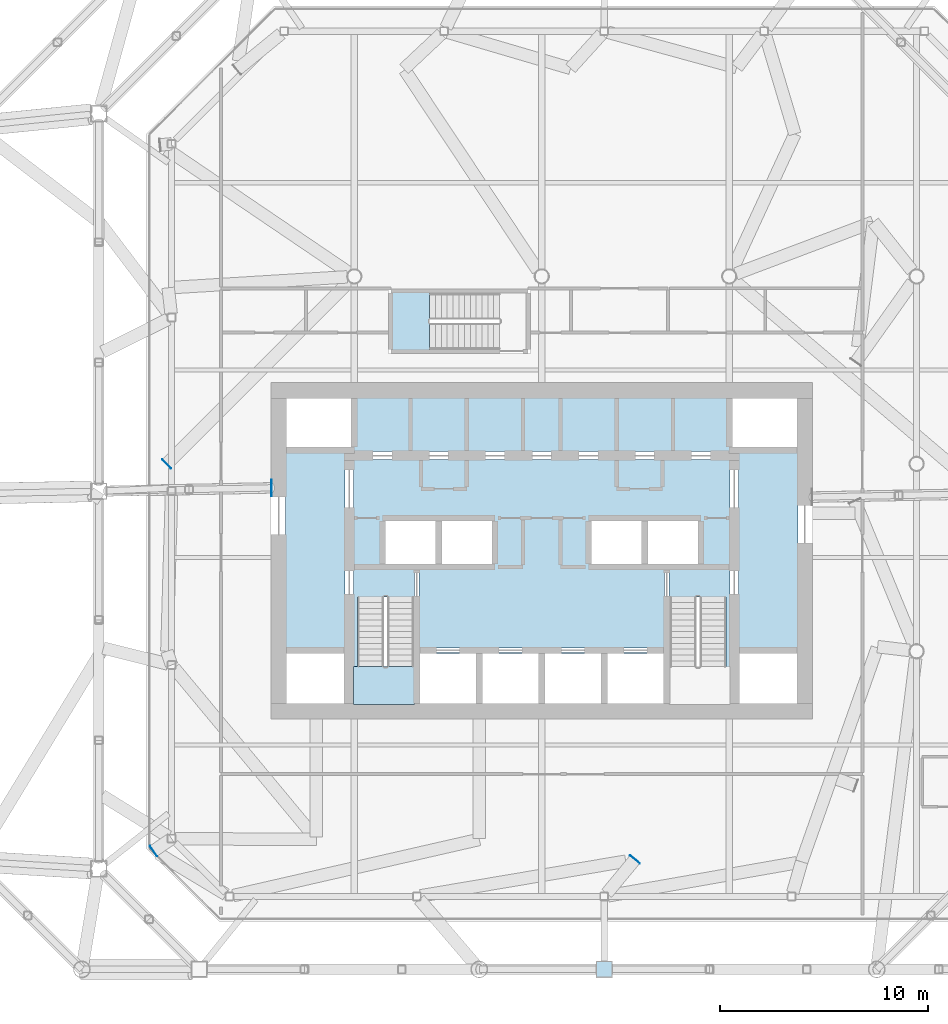
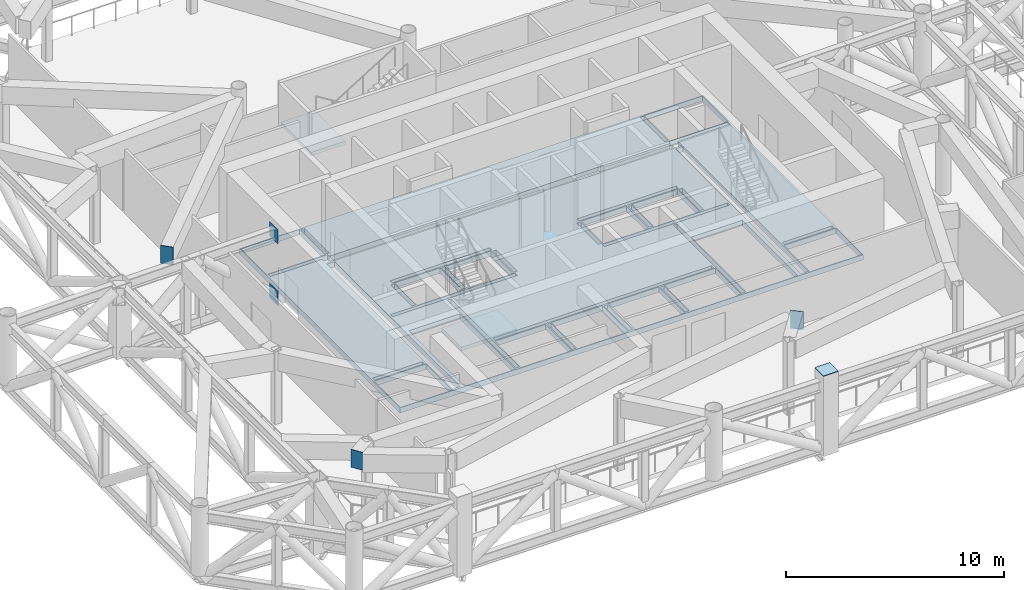
# One storey, part 9 of 21: 6 plates, 3 slabs, 2 elements without a shape of their own.
"""IFC4 building model written with IfcOpenShell, lengths in metres."""

import ifcopenshell
import ifcopenshell.guid

model = None  # the IFC model being written
_history = None  # IfcOwnerHistory: only IFC2X3 demands one
_inside = {}  # id of a spatial element -> (the spatial element, [elements in it])
_under = {}  # id of a project, library or spatial element -> (it, [spatial elements below it])
_declared = {}  # id of a project -> (the project, [libraries it declares])
_typed = {}  # id of a type object -> (the type object, [elements of that type])
_made_of = {}  # id of a material, layer set ... -> (it, [elements and type objects made of it])


def new_model(schema):
    """Start an empty IFC model of exactly this schema.

    Asked for "IFC4X3", IfcOpenShell would pick the latest addendum, in which some entities
    have other attributes; the version numbers below select the first issue.
    IFC2X3 requires an IfcOwnerHistory on every rooted entity: one is made here for all.
    """
    global model, _history
    if schema == "IFC4X3":
        model = ifcopenshell.file(schema_version=(4, 3, 0, 0))
    else:
        model = ifcopenshell.file(schema=schema)
    _inside.clear()
    _under.clear()
    _declared.clear()
    _typed.clear()
    _made_of.clear()
    _history = None
    if model.schema == "IFC2X3":
        org = make("IfcOrganization", Name="unknown")
        user = make(
            "IfcPersonAndOrganization",
            ThePerson=make("IfcPerson", FamilyName="unknown"),
            TheOrganization=org,
        )
        app = make(
            "IfcApplication",
            ApplicationDeveloper=org,
            Version="unknown",
            ApplicationFullName="unknown",
            ApplicationIdentifier="unknown",
        )
        _history = make(
            "IfcOwnerHistory",
            OwningUser=user,
            OwningApplication=app,
            ChangeAction="ADDED",
            CreationDate=0,
        )
    return model


def make(cls, **values):
    """One entity of the class cls with the attributes given. An attribute that is None is left unset."""
    return model.create_entity(
        cls, **{name: value for name, value in values.items() if value is not None}
    )


def rooted(cls, **values):
    """An entity with a GlobalId (a new one), such as an element, a storey or a relation."""
    return make(cls, GlobalId=ifcopenshell.guid.new(), OwnerHistory=_history, **values)


def si_unit(unit_type, name, prefix=None):
    """IfcSIUnit, for example si_unit("LENGTHUNIT", "METRE", prefix="MILLI")."""
    return make("IfcSIUnit", UnitType=unit_type, Prefix=prefix, Name=name)


def assignment(units):
    """IfcUnitAssignment: the units of a project."""
    return None if units is None else make("IfcUnitAssignment", Units=units)


def point(xyz):
    """IfcCartesianPoint."""
    return None if xyz is None else make("IfcCartesianPoint", Coordinates=xyz)


def direction(xyz):
    """IfcDirection."""
    return None if xyz is None else make("IfcDirection", DirectionRatios=xyz)


def frame(location, z_axis=None, x_axis=None):
    """IfcAxis2Placement3D, a coordinate frame: its origin and axes. An axis left out is left unset."""
    return make(
        "IfcAxis2Placement3D",
        Location=point(location),
        Axis=direction(z_axis),
        RefDirection=direction(x_axis),
    )


def frame_2d(location, x_axis=None):
    """IfcAxis2Placement2D, a coordinate frame in the plane: its origin and x axis."""
    return make(
        "IfcAxis2Placement2D", Location=point(location), RefDirection=direction(x_axis)
    )


def origin():
    """The frame at (0, 0, 0) with its axes left unset."""
    return frame((0.0, 0.0, 0.0))


def origin_2d():
    """The frame at (0, 0) in the plane with its x axis left unset."""
    return frame_2d((0.0, 0.0))


def place(relative_to, where):
    """IfcLocalPlacement: puts the frame where relative to a parent placement (None: the world)."""
    return make(
        "IfcLocalPlacement", PlacementRelTo=relative_to, RelativePlacement=where
    )


def context(
    kind, dimensions, precision=None, world=None, true_north=None, identifier=None
):
    """IfcGeometricRepresentationContext, for example the 3D "Model" context."""
    return make(
        "IfcGeometricRepresentationContext",
        ContextIdentifier=identifier,
        ContextType=kind,
        CoordinateSpaceDimension=dimensions,
        Precision=precision,
        WorldCoordinateSystem=world,
        TrueNorth=true_north,
    )


def subcontext(parent, identifier, kind, view, scale=None):
    """IfcGeometricRepresentationSubContext, for example "Body" below "Model"."""
    return make(
        "IfcGeometricRepresentationSubContext",
        ContextIdentifier=identifier,
        ContextType=kind,
        ParentContext=parent,
        TargetScale=scale,
        TargetView=view,
    )


def project(units=None, contexts=None):
    """IfcProject with its units and contexts."""
    return rooted(
        "IfcProject",
        Name="project",
        RepresentationContexts=contexts,
        UnitsInContext=assignment(units),
    )


def spatial(cls, under=None, at=None, **own):
    """A site, building, storey or space (cls), placed at a placement, below another one or the project."""
    s = rooted(cls, ObjectPlacement=at, **own)
    if under is not None:
        _under.setdefault(under.id(), (under, []))[1].append(s)
    return s


def polyline(points):
    """IfcPolyline through the points."""
    return make("IfcPolyline", Points=[point(p) for p in points])


def profile(cls, at=None, kind="AREA", **sizes):
    """A parametric profile (cls). Its sizes go by their IFC names, for example OverallWidth=200.0."""
    return make(cls, ProfileType=kind, Position=at, **sizes)


def rectangle(**sizes):
    """IfcRectangleProfileDef."""
    return profile("IfcRectangleProfileDef", **sizes)


def outline(outer, holes=None, kind="AREA"):
    """IfcArbitraryClosedProfileDef: a profile drawn as a closed curve; with holes, ...WithVoids."""
    if holes is None:
        return make("IfcArbitraryClosedProfileDef", ProfileType=kind, OuterCurve=outer)
    return make(
        "IfcArbitraryProfileDefWithVoids",
        ProfileType=kind,
        OuterCurve=outer,
        InnerCurves=holes,
    )


def extrude(swept, where, along, depth):
    """IfcExtrudedAreaSolid: the profile swept, set in the frame where, extruded along a direction by depth."""
    return make(
        "IfcExtrudedAreaSolid",
        SweptArea=swept,
        Position=where,
        ExtrudedDirection=direction(along),
        Depth=depth,
    )


def shape(context_of_items, identifier, shape_type, items):
    """IfcShapeRepresentation: the items that make up one representation, for example the "Body"."""
    return make(
        "IfcShapeRepresentation",
        ContextOfItems=context_of_items,
        RepresentationIdentifier=identifier,
        RepresentationType=shape_type,
        Items=items,
    )


def material(Name=None, Category=None):
    """IfcMaterial."""
    return make("IfcMaterial", Name=Name, Category=Category)


def layer(
    of_material, thickness, ventilated=None, Name=None, Category=None, Priority=None
):
    """IfcMaterialLayer: one layer of a wall or slab, of a material (None: an air gap)."""
    return make(
        "IfcMaterialLayer",
        Material=of_material,
        LayerThickness=thickness,
        IsVentilated=ventilated,
        Name=Name,
        Category=Category,
        Priority=Priority,
    )


def layer_set(layers, Name=None):
    """IfcMaterialLayerSet."""
    return make("IfcMaterialLayerSet", MaterialLayers=layers, LayerSetName=Name)


def material_profile(
    of_material, cross_section, Name=None, Category=None, Priority=None
):
    """IfcMaterialProfile: a cross section and its material."""
    return make(
        "IfcMaterialProfile",
        Name=Name,
        Material=of_material,
        Profile=cross_section,
        Priority=Priority,
        Category=Category,
    )


def profile_set(profiles, Name=None, composite=None):
    """IfcMaterialProfileSet."""
    return make(
        "IfcMaterialProfileSet",
        Name=Name,
        MaterialProfiles=profiles,
        CompositeProfile=composite,
    )


def made_of(thing, what):
    """Note that an element or type object is made of a material, layer set ...; save() writes the relation."""
    if what is not None:
        _made_of.setdefault(what.id(), (what, []))[1].append(thing)
    return thing


def type_object(cls, material=None, **own):
    """A type object (cls), such as IfcWallType, which elements share."""
    return made_of(rooted(cls, **own), material)


def element(
    cls,
    number,
    at=None,
    inside=None,
    cuts=None,
    type_object=None,
    material=None,
    context=None,
    identifier="Body",
    shape_type=None,
    held_by="IfcProductDefinitionShape",
    body=None,
    shapes=None,
    **own,
):
    """One element of the class cls, such as IfcWall. Its Tag is "e" and its number.

    at: its placement. inside: the storey or other place that contains it. cuts: it is an
    opening in that element (IfcRelVoidsElement). A single representation is given by context,
    identifier, shape_type and body (its items); several are given by shapes. held_by: the class
    of the entity that holds the representations. save() writes the other relations.
    """
    e = rooted(cls, Tag="e%d" % number, ObjectPlacement=at, **own)
    if body is not None:
        shapes = [shape(context, identifier, shape_type, body)]
    if shapes is not None:
        e.Representation = make(held_by, Representations=shapes)
    if inside is not None:
        _inside.setdefault(inside.id(), (inside, []))[1].append(e)
    if cuts is not None:
        rooted(
            "IfcRelVoidsElement", RelatingBuildingElement=cuts, RelatedOpeningElement=e
        )
    if type_object is not None:
        _typed.setdefault(type_object.id(), (type_object, []))[1].append(e)
    return made_of(e, material)


def aggregate(whole, parts):
    """IfcRelAggregates: a whole, such as a stair, and the parts it consists of."""
    return rooted("IfcRelAggregates", RelatingObject=whole, RelatedObjects=parts)


def save(model, path):
    """Write the relations noted so far, then the file.

    IfcRelAggregates (storeys below a building ...), IfcRelContainedInSpatialStructure (elements
    in a storey), IfcRelDefinesByType, IfcRelAssociatesMaterial and IfcRelDeclares: one each for
    every whole, place, type object, material and project.
    """
    for whole, parts in _under.values():
        aggregate(whole, parts)
    for where, things in _inside.values():
        rooted(
            "IfcRelContainedInSpatialStructure",
            RelatedElements=things,
            RelatingStructure=where,
        )
    for kind, things in _typed.values():
        rooted("IfcRelDefinesByType", RelatedObjects=things, RelatingType=kind)
    for what, things in _made_of.values():
        rooted("IfcRelAssociatesMaterial", RelatedObjects=things, RelatingMaterial=what)
    for by, libraries in _declared.values():
        rooted("IfcRelDeclares", RelatingContext=by, RelatedDefinitions=libraries)
    model.write(path)


model = new_model("IFC4")

# Units and contexts
model_context = context("Model", 3, precision=1e-05, world=origin(), true_north=direction((0.0, 1.0)))
body_context = subcontext(model_context, "Body", "Model", "MODEL_VIEW")
ifc_project = project(units=[si_unit("LENGTHUNIT", "METRE"), si_unit("AREAUNIT", "SQUARE_METRE"), si_unit("VOLUMEUNIT", "CUBIC_METRE"), si_unit("PLANEANGLEUNIT", "RADIAN"), si_unit("MASSUNIT", "GRAM", prefix="KILO")], contexts=[model_context])

# Site, building, storey
site_placement = place(None, origin())
site = spatial("IfcSite", under=ifc_project, at=site_placement, CompositionType="ELEMENT")
building_placement = place(site_placement, origin())
building = spatial("IfcBuilding", under=site, at=building_placement, Name="Tskaro Facet Tower", CompositionType="ELEMENT")
storey_placement = place(building_placement, frame((0.0, 0.0, 167.699951171875)))
storey = spatial("IfcBuildingStorey", under=building, at=storey_placement, Name="L41", CompositionType="ELEMENT", Elevation=167.699951171875)

# Plates
ifc_material_1 = material(Name="Steel S355J2", Category="steel")
ifc_material_profile_1 = material_profile(ifc_material_1, rectangle(XDim=0.60009765625, YDim=1.0, at=origin_2d()), Name="PL 600x1000x30 end plate")
ifc_profile_set_1 = profile_set([ifc_material_profile_1], Name="Steel S355J2")
plate_type_1 = type_object("IfcPlateType", Name="PL 600x1000x30 end plate", PredefinedType="SHEET", material=ifc_profile_set_1)
plate_1_placement = place(storey_placement, frame((-18.633056640625, -18.5830078125, 3.580078125), z_axis=(-0.825708106914, -0.564097617595, 0.0), x_axis=(0.564097617595, -0.825708106914, 0.0)))
element("IfcPlate", 1, at=plate_1_placement, inside=storey, type_object=plate_type_1, Name="End plate CP8-24", PredefinedType="SHEET", context=body_context, shape_type="SweptSolid", body=[
    extrude(rectangle(XDim=0.60009765625, YDim=1.0, at=origin_2d()), origin(), (0.0, 0.0, 1.0), 0.02978515625),
])
plate_2_placement = place(storey_placement, frame((-18.0, 0.0, 3.580078125), z_axis=(-0.707106781187, -0.707106781187, 0.0), x_axis=(0.707106781187, -0.707106781187, 0.0)))
element("IfcPlate", 2, at=plate_2_placement, inside=storey, type_object=plate_type_1, Name="End plate CP8-25", PredefinedType="SHEET", context=body_context, shape_type="SweptSolid", body=[
    extrude(rectangle(XDim=0.60009765625, YDim=1.0, at=origin_2d()), origin(), (0.0, 0.0, 1.0), 0.030029296875),
])
plate_3_placement = place(storey_placement, frame((4.4658203125, -19.00634765625, 3.580078125), z_axis=(0.639387972132, 0.768884270286, 0.0), x_axis=(-0.768884270286, 0.639387972132, 0.0)))
element("IfcPlate", 3, at=plate_3_placement, inside=storey, type_object=plate_type_1, Name="End plate CP8-26", PredefinedType="SHEET", context=body_context, shape_type="SweptSolid", body=[
    extrude(rectangle(XDim=0.60009765625, YDim=1.0, at=origin_2d()), origin(), (0.0, 0.0, 1.0), 0.0302734375),
])
ifc_material_profile_2 = material_profile(ifc_material_1, rectangle(XDim=0.800048828125, YDim=0.800048828125, at=origin_2d()), Name="PL 800x800x30 cast-in plate")
ifc_profile_set_2 = profile_set([ifc_material_profile_2], Name="Steel S355J2")
plate_type_2 = type_object("IfcPlateType", Name="PL 800x800x30 cast-in plate", PredefinedType="SHEET", material=ifc_profile_set_2)
for number, where, z_axis, x_axis, name in (
    (4, (-12.969970703125, -1.1533203125, 3.77001953125), (-1.0, 0.0, 0.0), (0.0, -1.0, 0.0), "Cast-in plate AP1-17"),
    (5, (-12.969970703125, -1.1533203125, 0.31005859375), (-1.0, 0.0, 0.0), (0.0, -1.0, 0.0), "Cast-in plate AP1-18"),
):
    element("IfcPlate", number, at=place(storey_placement, frame(where, z_axis=z_axis, x_axis=x_axis)), inside=storey, type_object=plate_type_2, Name=name, PredefinedType="SHEET", context=body_context, shape_type="SweptSolid", body=[
        extrude(rectangle(XDim=0.800048828125, YDim=0.800048828125, at=origin_2d()), origin(), (0.0, 0.0, 1.0), 0.030029296875),
    ])
ifc_material_profile_3 = material_profile(ifc_material_1, rectangle(XDim=0.800048828125, YDim=0.800048828125, at=origin_2d()), Name="PL 800x800x30 end plate")
ifc_profile_set_3 = profile_set([ifc_material_profile_3], Name="Steel S355J2")
plate_type_3 = type_object("IfcPlateType", Name="PL 800x800x30 end plate", PredefinedType="SHEET", material=ifc_profile_set_3)
plate_4_placement = place(storey_placement, frame((3.0, -24.27587890625, 4.5), z_axis=(0.0, 0.0, 1.0), x_axis=(1.0, 0.0, 0.0)))
element("IfcPlate", 6, at=plate_4_placement, inside=storey, type_object=plate_type_3, Name="End plate CP5-02", PredefinedType="SHEET", context=body_context, shape_type="SweptSolid", body=[
    extrude(rectangle(XDim=0.800048828125, YDim=0.800048828125, at=origin_2d()), origin(), (0.0, 0.0, 1.0), 0.030029296875),
])

# Stair, slab
ifc_material_2 = material(Name="Concrete C40/50", Category="concrete")
stair_type = type_object("IfcStairType", Name="ST-TWR", PredefinedType="HALF_TURN_STAIR", material=ifc_material_2)
stair_1_placement = place(storey_placement, origin())
stair_1 = element("IfcStair", 7, at=stair_1_placement, inside=storey, type_object=stair_type, Name="L41 Exit stair 1", PredefinedType="HALF_TURN_STAIR")
ifc_layer_1 = layer(ifc_material_2, 0.199951171875, Name="Concrete C40/50")
ifc_layer_set_1 = layer_set([ifc_layer_1], Name="Concrete C40/50")
slab_type_1 = type_object("IfcSlabType", Name="SL-LANDING", PredefinedType="LANDING", material=ifc_layer_set_1)
slab_1_placement = place(storey_placement, frame((0.0, 0.0, 2.050048828125)))
slab_1 = element("IfcSlab", 8, at=slab_1_placement, type_object=slab_type_1, Name="ST-1 landing 1", PredefinedType="LANDING", context=body_context, shape_type="SweptSolid", body=[
    extrude(outline(polyline([(-9.050048828125, -11.550048828125), (-6.10009765625, -11.550048828125), (-6.10009765625, -9.735107421875), (-9.050048828125, -9.735107421875), (-9.050048828125, -11.550048828125)])), origin(), (0.0, 0.0, 1.0), 0.199951171875),
])
aggregate(stair_1, [slab_1])

stair_2_placement = place(storey_placement, origin())
stair_2 = element("IfcStair", 9, at=stair_2_placement, inside=storey, type_object=stair_type, Name="L41 Exit stair 3", PredefinedType="HALF_TURN_STAIR")
slab_2_placement = place(storey_placement, frame((0.0, 0.0, 2.050048828125)))
slab_2 = element("IfcSlab", 10, at=slab_2_placement, type_object=slab_type_1, Name="ST-3 landing 1", PredefinedType="LANDING", context=body_context, shape_type="SweptSolid", body=[
    extrude(outline(polyline([(-7.199951171875, 5.449951171875), (-5.385009765625, 5.449951171875), (-5.385009765625, 8.25), (-7.199951171875, 8.25), (-7.199951171875, 5.449951171875)])), origin(), (0.0, 0.0, 1.0), 0.199951171875),
])
aggregate(stair_2, [slab_2])

# Slab
ifc_material_3 = material(Name="Concrete C60/75", Category="concrete")
ifc_layer_2 = layer(ifc_material_3, 0.300048828125, Name="Concrete C60/75")
ifc_layer_set_2 = layer_set([ifc_layer_2], Name="Concrete C60/75")
slab_type_2 = type_object("IfcSlabType", Name="SLAB-CORE", PredefinedType="FLOOR", material=ifc_layer_set_2)
slab_3_placement = place(storey_placement, frame((0.0, 0.0, -0.300048828125)))
element("IfcSlab", 11, at=slab_3_placement, inside=storey, type_object=slab_type_2, Name="Core floor slab 1", PredefinedType="FLOOR", context=body_context, shape_type="SweptSolid", body=[
    extrude(outline(polyline([(-12.300048828125, 3.199951171875), (12.300048828125, 3.199951171875), (12.300048828125, 3.10009765625), (12.300048828125, -11.449951171875), (12.300048828125, -11.550048828125), (-12.300048828125, -11.550048828125), (-12.300048828125, -11.449951171875), (-12.300048828125, 3.10009765625), (-12.300048828125, 3.199951171875)]), holes=[polyline([(-9.5, -9.10009765625), (-12.25, -9.10009765625), (-12.25, -11.5), (-9.5, -11.5), (-9.5, -9.10009765625)]), polyline([(-5.85009765625, -9.10009765625), (-5.85009765625, -11.5), (-3.14990234375, -11.5), (-3.14990234375, -9.10009765625), (-5.85009765625, -9.10009765625)]), polyline([(-12.199951171875, -9.050048828125), (-9.550048828125, -9.050048828125), (-9.550048828125, -8.85009765625), (-12.199951171875, -8.85009765625), (-12.199951171875, -9.050048828125)]), polyline([(-6.10009765625, -5.14990234375), (-6.10009765625, -11.449951171875), (-5.89990234375, -11.449951171875), (-5.89990234375, -5.14990234375), (-6.10009765625, -5.14990234375)]), polyline([(-9.449951171875, 0.10009765625), (-9.449951171875, -11.449951171875), (-9.050048828125, -11.449951171875), (-9.050048828125, 0.10009765625), (-9.449951171875, 0.10009765625)]), polyline([(-8.949951171875, -5.050048828125), (-2.300048828125, -5.050048828125), (-2.300048828125, -4.85009765625), (-8.949951171875, -4.85009765625), (-8.949951171875, -5.050048828125)]), polyline([(-7.75, -2.800048828125), (-7.75, -4.75), (-7.550048828125, -4.75), (-7.550048828125, -2.800048828125), (-7.75, -2.800048828125)]), polyline([(-7.5, -4.800048828125), (-5.10009765625, -4.800048828125), (-5.10009765625, -2.75), (-7.5, -2.75), (-7.5, -4.800048828125)]), polyline([(-5.050048828125, -2.800048828125), (-5.050048828125, -4.75), (-4.85009765625, -4.75), (-4.85009765625, -2.800048828125), (-5.050048828125, -2.800048828125)]), polyline([(-7.60009765625, -2.5), (-7.60009765625, -2.699951171875), (-2.300048828125, -2.699951171875), (-2.300048828125, -2.5), (-7.60009765625, -2.5)]), polyline([(9.449951171875, 0.550048828125), (12.199951171875, 0.550048828125), (12.199951171875, 0.75), (9.050048828125, 0.75), (9.050048828125, 0.60009765625), (-9.050048828125, 0.60009765625), (-9.050048828125, 0.75), (-12.199951171875, 0.75), (-12.199951171875, 0.550048828125), (-9.449951171875, 0.550048828125), (-9.449951171875, 0.199951171875), (9.449951171875, 0.199951171875), (9.449951171875, 0.550048828125)]), polyline([(-9.14990234375, 3.14990234375), (-12.25, 3.14990234375), (-12.25, 0.800048828125), (-9.14990234375, 0.800048828125), (-9.14990234375, 3.14990234375)]), polyline([(-9.10009765625, 0.85009765625), (-8.89990234375, 0.85009765625), (-8.89990234375, 3.10009765625), (-9.10009765625, 3.10009765625), (-9.10009765625, 0.85009765625)]), polyline([(-3.10009765625, -11.449951171875), (-2.89990234375, -11.449951171875), (-2.89990234375, -9.14990234375), (-3.10009765625, -9.14990234375), (-3.10009765625, -11.449951171875)]), polyline([(-0.14990234375, -9.10009765625), (-2.85009765625, -9.10009765625), (-2.85009765625, -11.5), (-0.14990234375, -11.5), (-0.14990234375, -9.10009765625)]), polyline([(-0.10009765625, -9.14990234375), (-0.10009765625, -11.449951171875), (0.10009765625, -11.449951171875), (0.10009765625, -9.14990234375), (-0.10009765625, -9.14990234375)]), polyline([(0.14990234375, -9.10009765625), (0.14990234375, -11.5), (2.85009765625, -11.5), (2.85009765625, -9.10009765625), (0.14990234375, -9.10009765625)]), polyline([(2.89990234375, -9.14990234375), (2.89990234375, -11.449951171875), (3.10009765625, -11.449951171875), (3.10009765625, -9.14990234375), (2.89990234375, -9.14990234375)]), polyline([(-5.800048828125, -8.85009765625), (-5.800048828125, -9.050048828125), (5.800048828125, -9.050048828125), (5.800048828125, -8.85009765625), (-5.800048828125, -8.85009765625)]), polyline([(-2.39990234375, -4.800048828125), (-2.39990234375, -2.75), (-4.800048828125, -2.75), (-4.800048828125, -4.800048828125), (-2.39990234375, -4.800048828125)]), polyline([(-2.35009765625, -4.75), (-2.14990234375, -4.75), (-2.14990234375, -2.800048828125), (-2.35009765625, -2.800048828125), (-2.35009765625, -4.75)]), polyline([(2.14990234375, -4.75), (2.35009765625, -4.75), (2.35009765625, -2.800048828125), (2.14990234375, -2.800048828125), (2.14990234375, -4.75)]), polyline([(3.14990234375, -9.10009765625), (3.14990234375, -11.5), (5.85009765625, -11.5), (5.85009765625, -9.10009765625), (3.14990234375, -9.10009765625)]), polyline([(12.25, -11.5), (12.25, -9.10009765625), (9.5, -9.10009765625), (9.5, -11.5), (12.25, -11.5)]), polyline([(9.550048828125, -8.85009765625), (9.550048828125, -9.050048828125), (12.199951171875, -9.050048828125), (12.199951171875, -8.85009765625), (9.550048828125, -8.85009765625)]), polyline([(5.89990234375, -11.449951171875), (6.10009765625, -11.449951171875), (6.10009765625, -5.14990234375), (5.89990234375, -5.14990234375), (5.89990234375, -11.449951171875)]), polyline([(9.050048828125, 0.10009765625), (9.050048828125, -11.449951171875), (9.449951171875, -11.449951171875), (9.449951171875, 0.10009765625), (9.050048828125, 0.10009765625)]), polyline([(2.300048828125, -4.85009765625), (2.300048828125, -5.050048828125), (8.949951171875, -5.050048828125), (8.949951171875, -4.85009765625), (2.300048828125, -4.85009765625)]), polyline([(4.800048828125, -4.800048828125), (4.800048828125, -2.75), (2.39990234375, -2.75), (2.39990234375, -4.800048828125), (4.800048828125, -4.800048828125)]), polyline([(4.85009765625, -2.800048828125), (4.85009765625, -4.75), (5.050048828125, -4.75), (5.050048828125, -2.800048828125), (4.85009765625, -2.800048828125)]), polyline([(7.5, -2.75), (5.10009765625, -2.75), (5.10009765625, -4.800048828125), (7.5, -4.800048828125), (7.5, -2.75)]), polyline([(7.550048828125, -2.800048828125), (7.550048828125, -4.75), (7.75, -4.75), (7.75, -2.800048828125), (7.550048828125, -2.800048828125)]), polyline([(2.300048828125, -2.5), (2.300048828125, -2.699951171875), (7.60009765625, -2.699951171875), (7.60009765625, -2.5), (2.300048828125, -2.5)]), polyline([(8.89990234375, 3.10009765625), (8.89990234375, 0.85009765625), (9.10009765625, 0.85009765625), (9.10009765625, 3.10009765625), (8.89990234375, 3.10009765625)]), polyline([(9.14990234375, 0.800048828125), (12.25, 0.800048828125), (12.25, 3.14990234375), (9.14990234375, 3.14990234375), (9.14990234375, 0.800048828125)]), polyline([(-8.85009765625, -11.5), (-6.14990234375, -11.5), (-6.14990234375, -6.39501953125), (-8.85009765625, -6.39501953125), (-8.85009765625, -11.5)]), polyline([(6.14990234375, -6.39501953125), (6.14990234375, -11.5), (8.85009765625, -11.5), (8.85009765625, -6.39501953125), (6.14990234375, -6.39501953125)])]), origin(), (0.0, 0.0, 1.0), 0.300048828125),
])

save(model, "model.ifc")
